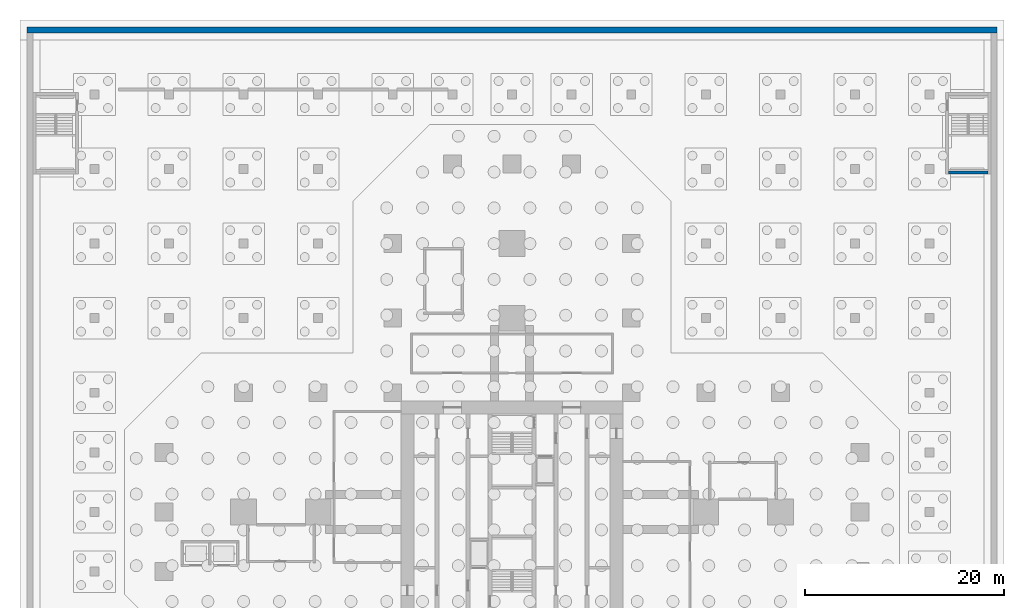
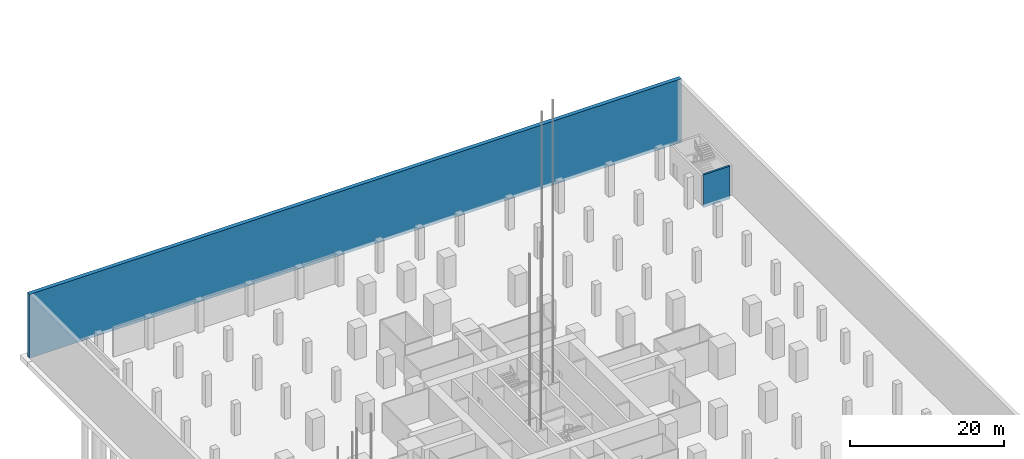
# One storey, part 14 of 31: 2 walls.
"""IFC4 building model written with IfcOpenShell, lengths in metres."""

from ifc_helpers import new_model, si_unit, direction, frame, frame_2d, origin, place, context, subcontext, project, spatial, rectangle, extrude, material, layer, layer_set, type_object, element, save


model = new_model("IFC4")

# Units and contexts
model_context = context("Model", 3, precision=1e-05, world=origin(), true_north=direction((0.0, 1.0)))
body_context = subcontext(model_context, "Body", "Model", "MODEL_VIEW")
ifc_project = project(units=[si_unit("LENGTHUNIT", "METRE"), si_unit("AREAUNIT", "SQUARE_METRE"), si_unit("VOLUMEUNIT", "CUBIC_METRE"), si_unit("PLANEANGLEUNIT", "RADIAN"), si_unit("MASSUNIT", "GRAM", prefix="KILO")], contexts=[model_context])

# Site, building, storey
site_placement = place(None, origin())
site = spatial("IfcSite", under=ifc_project, at=site_placement, CompositionType="ELEMENT")
building_placement = place(site_placement, origin())
building = spatial("IfcBuilding", under=site, at=building_placement, Name="Mizan Broadcast Tower", CompositionType="ELEMENT")
storey_placement = place(building_placement, frame((0.0, 0.0, -10.0)))
storey = spatial("IfcBuildingStorey", under=building, at=storey_placement, Name="B2", CompositionType="ELEMENT", Elevation=-10.0)

# Walls
ifc_material_1 = material(Name="Concrete C70/85", Category="concrete")
ifc_layer_1 = layer(ifc_material_1, 0.60009765625)
ifc_layer_set_1 = layer_set([ifc_layer_1], Name="Concrete C70/85")
wall_type_1 = type_object("IfcWallType", Name="RETAINING WALL 600", PredefinedType="SOLIDWALL", material=ifc_layer_set_1)
wall_1_placement = place(storey_placement, frame((-48.800048828125, 48.5, -0.5), z_axis=(0.0, 0.0, 1.0), x_axis=(1.0, 0.0, 0.0)))
element("IfcWall", 1, at=wall_1_placement, inside=storey, type_object=wall_type_1, Name="Retaining wall RW1 N", PredefinedType="SOLIDWALL", context=body_context, shape_type="SweptSolid", body=[
    extrude(rectangle(XDim=97.60009765625, YDim=0.60009765625, at=frame_2d((48.800048828125, 0.0))), origin(), (0.0, 0.0, 1.0), 10.10009765625),
])
ifc_material_2 = material(Name="Concrete C40/50", Category="concrete")
ifc_layer_2 = layer(ifc_material_2, 0.300048828125)
ifc_layer_set_2 = layer_set([ifc_layer_2], Name="Concrete C40/50")
wall_type_2 = type_object("IfcWallType", Name="STAIR SHAFT WALL 300 RC", PredefinedType="SOLIDWALL", material=ifc_layer_set_2)
wall_2_placement = place(storey_placement, frame((47.89990234375, 34.14990234375, -0.5), z_axis=(0.0, 0.0, 1.0), x_axis=(-1.0, 0.0, 0.0)))
element("IfcWall", 2, at=wall_2_placement, inside=storey, type_object=wall_type_2, Name="Stair shaft wall E F", PredefinedType="SOLIDWALL", context=body_context, shape_type="SweptSolid", body=[
    extrude(rectangle(XDim=4.0, YDim=0.300048828125, at=frame_2d((2.0, 0.0))), origin(), (0.0, 0.0, 1.0), 5.199951171875),
])

save(model, "model.ifc")
